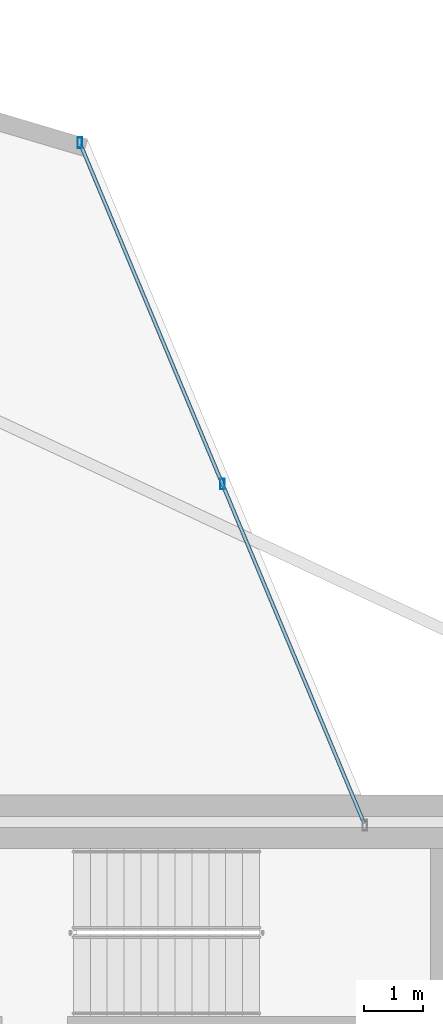
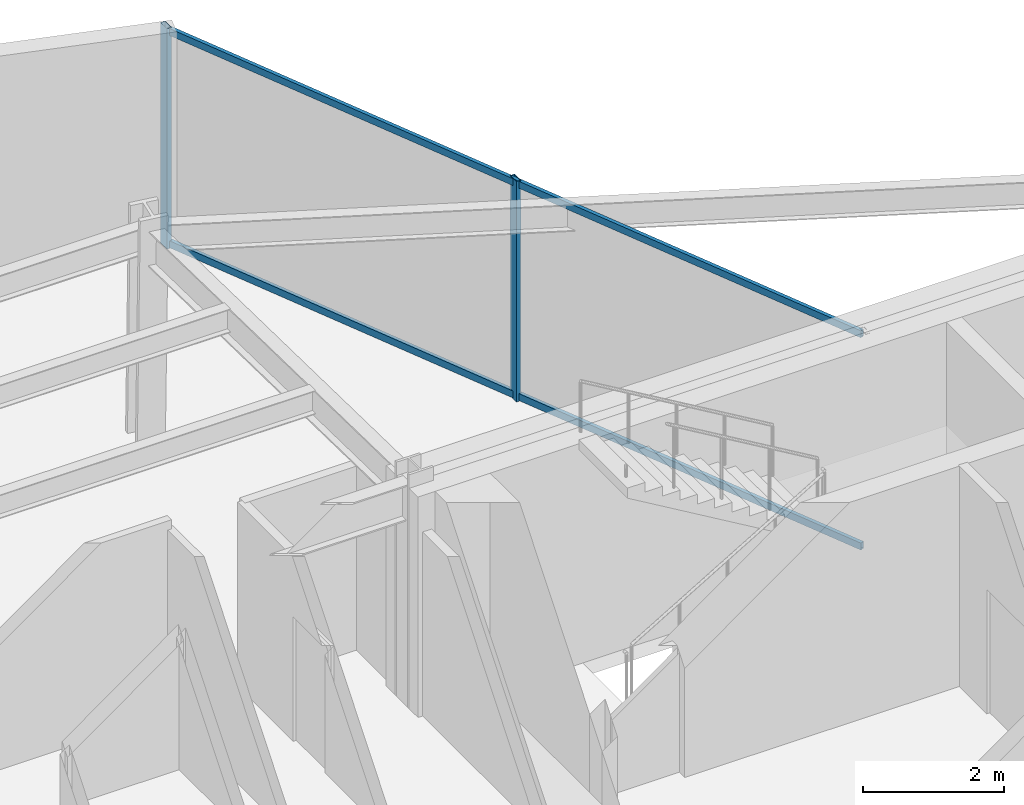
# One storey, part 18 of 25: 4 members, 1 element without a shape of its own.
"""IFC4 building model written with IfcOpenShell, lengths in metres."""

from ifc_helpers import new_model, si_unit, direction, frame, origin, origin_2d, place, context, subcontext, project, spatial, hollow_rectangle, extrude, material, layer, layer_set, material_profile, profile_set, type_object, element, aggregate, save


model = new_model("IFC4")

# Units and contexts
model_context = context("Model", 3, precision=1e-05, world=origin(), true_north=direction((0.0, 1.0)))
body_context = subcontext(model_context, "Body", "Model", "MODEL_VIEW")
ifc_project = project(units=[si_unit("LENGTHUNIT", "METRE"), si_unit("AREAUNIT", "SQUARE_METRE"), si_unit("VOLUMEUNIT", "CUBIC_METRE"), si_unit("PLANEANGLEUNIT", "RADIAN"), si_unit("MASSUNIT", "GRAM", prefix="KILO")], contexts=[model_context])

# Site, building, storey
site_placement = place(None, origin())
site = spatial("IfcSite", under=ifc_project, at=site_placement, CompositionType="ELEMENT")
building_placement = place(site_placement, origin())
building = spatial("IfcBuilding", under=site, at=building_placement, Name="Veymaron Broadcast Tower", CompositionType="ELEMENT")
storey_placement = place(building_placement, frame((0.0, 0.0, 82.35009765625)))
storey = spatial("IfcBuildingStorey", under=building, at=storey_placement, Name="L18", CompositionType="ELEMENT", Elevation=82.35009765625)

# Curtain wall, members
ifc_material_1 = material(Name="Anodised aluminium AA 6063-T6 and laminated low-E dark glass", Category="aluminium")
ifc_layer = layer(ifc_material_1, 0.179931640625)
ifc_layer_set = layer_set([ifc_layer], Name="Anodised aluminium AA 6063-T6 and laminated low-E dark glass")
curtain_wall_type = type_object("IfcCurtainWallType", Name="CW-SYS-02", PredefinedType="NOTDEFINED", material=ifc_layer_set)
curtain_wall_placement = place(storey_placement, origin())
curtain_wall = element("IfcCurtainWall", 1, at=curtain_wall_placement, inside=storey, type_object=curtain_wall_type, Name="L18 dark-glass curtain wall CW-L18-E5-1", PredefinedType="NOTDEFINED")
ifc_material_2 = material(Name="Anodised aluminium AA 6063-T6", Category="aluminium")
ifc_material_profile_1 = material_profile(ifc_material_2, hollow_rectangle(XDim=0.074951171875, YDim=0.179931640625, WallThickness=0.0048828125, at=origin_2d()), Name="AL180X75X5")
ifc_profile_set_1 = profile_set([ifc_material_profile_1], Name="Anodised aluminium AA 6063-T6")
member_type_1 = type_object("IfcMemberType", Name="CW-MUL-02", PredefinedType="MULLION", material=ifc_profile_set_1)
member_1_placement = place(storey_placement, frame((43.937744140625, 37.68798828125, 0.0), z_axis=(0.0, 0.0, 1.0), x_axis=(1.0, 0.0, 0.0)))
member_1 = element("IfcMember", 2, at=member_1_placement, type_object=member_type_1, Name="CW-L18-E5-1 mullion 1", PredefinedType="MULLION", context=body_context, shape_type="SweptSolid", body=[
    extrude(hollow_rectangle(XDim=0.074951171875, YDim=0.179931640625, WallThickness=0.0048828125, at=origin_2d()), origin(), (0.0, 0.0, 1.0), 3.809814453125),
])
member_2_placement = place(storey_placement, frame((41.538818359375, 43.429931640625, 0.0), z_axis=(0.0, 0.0, 1.0), x_axis=(1.0, 0.0, 0.0)))
member_2 = element("IfcMember", 3, at=member_2_placement, type_object=member_type_1, Name="CW-L18-E5-1 mullion 2", PredefinedType="MULLION", context=body_context, shape_type="SweptSolid", body=[
    extrude(hollow_rectangle(XDim=0.074951171875, YDim=0.179931640625, WallThickness=0.0048828125, at=origin_2d()), origin(), (0.0, 0.0, 1.0), 3.809814453125),
])
ifc_material_profile_2 = material_profile(ifc_material_2, hollow_rectangle(XDim=0.06005859375, YDim=0.1201171875, WallThickness=0.00390625, at=origin_2d()), Name="AL120X60X4")
ifc_profile_set_2 = profile_set([ifc_material_profile_2], Name="Anodised aluminium AA 6063-T6")
member_type_2 = type_object("IfcMemberType", Name="CW-TRN-02", PredefinedType="USERDEFINED", material=ifc_profile_set_2)
member_3_placement = place(storey_placement, frame((46.3173828125, 31.9921875, 0.06982421875), z_axis=(-0.385497017548, 0.922709081706, 0.0), x_axis=(-0.922709081706, -0.385497017548, 0.0)))
member_3 = element("IfcMember", 4, at=member_3_placement, type_object=member_type_2, Name="CW-L18-E5-1 transom B", ObjectType="TRANSOM", PredefinedType="USERDEFINED", context=body_context, shape_type="SweptSolid", body=[
    extrude(hollow_rectangle(XDim=0.06005859375, YDim=0.1201171875, WallThickness=0.00390625, at=origin_2d()), origin(), (0.0, 0.0, 1.0), 12.345703125),
])
member_4_placement = place(storey_placement, frame((46.3173828125, 31.9921875, 3.739990234375), z_axis=(-0.385497017548, 0.922709081706, 0.0), x_axis=(-0.922709081706, -0.385497017548, 0.0)))
member_4 = element("IfcMember", 5, at=member_4_placement, type_object=member_type_2, Name="CW-L18-E5-1 transom T", ObjectType="TRANSOM", PredefinedType="USERDEFINED", context=body_context, shape_type="SweptSolid", body=[
    extrude(hollow_rectangle(XDim=0.06005859375, YDim=0.1201171875, WallThickness=0.00390625, at=origin_2d()), origin(), (0.0, 0.0, 1.0), 12.345703125),
])
aggregate(curtain_wall, [member_1, member_2, member_3, member_4])

save(model, "model.ifc")
